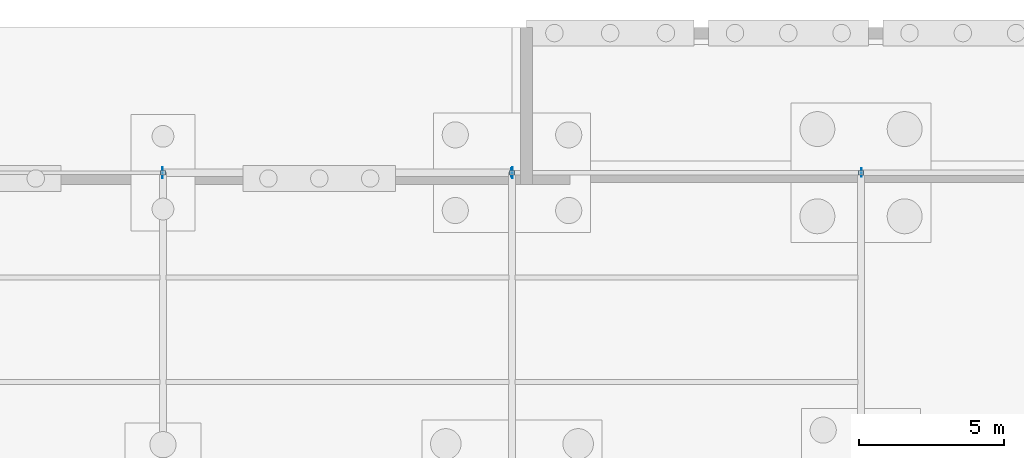
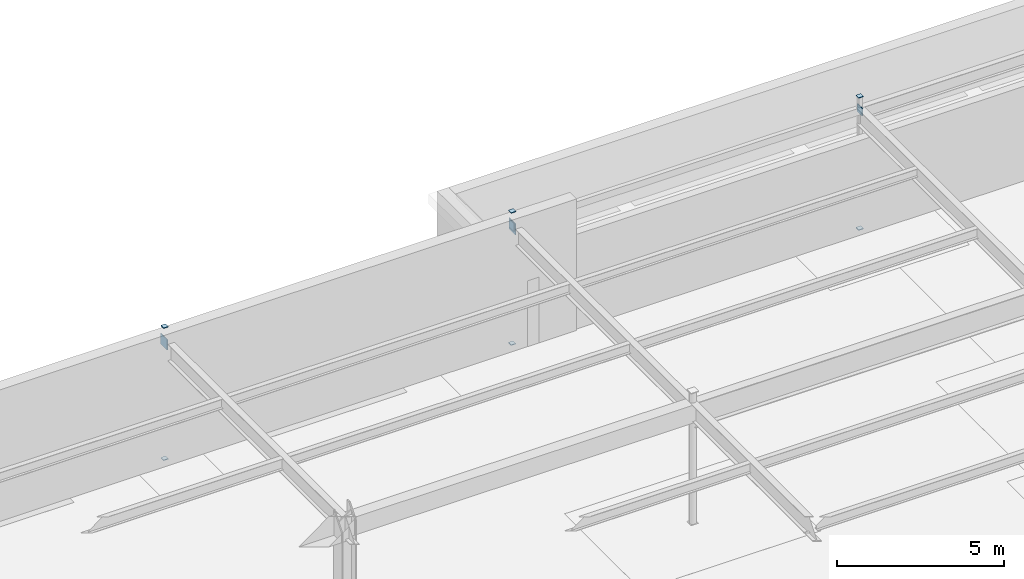
# One storey, part 113 of 136: 10 plates.
"""IFC4 building model written with IfcOpenShell, lengths in metres."""

from ifc_helpers import new_model, si_unit, direction, frame, origin, origin_2d, place, context, subcontext, project, spatial, rectangle, extrude, material, layer, layer_set, type_object, element, save


model = new_model("IFC4")

# Units and contexts
model_context = context("Model", 3, precision=1e-05, world=origin(), true_north=direction((0.0, 1.0)))
body_context = subcontext(model_context, "Body", "Model", "MODEL_VIEW")
ifc_project = project(units=[si_unit("LENGTHUNIT", "METRE"), si_unit("AREAUNIT", "SQUARE_METRE"), si_unit("VOLUMEUNIT", "CUBIC_METRE"), si_unit("PLANEANGLEUNIT", "RADIAN"), si_unit("MASSUNIT", "GRAM", prefix="KILO")], contexts=[model_context])

# Site, building, storey
site_placement = place(None, origin())
site = spatial("IfcSite", under=ifc_project, at=site_placement, CompositionType="ELEMENT")
building_placement = place(site_placement, origin())
building = spatial("IfcBuilding", under=site, at=building_placement, Name="Tarnwether General Hospital", CompositionType="ELEMENT")
storey_placement = place(building_placement, frame((0.0, 0.0, -4.800048828125)))
storey = spatial("IfcBuildingStorey", under=building, at=storey_placement, Name="LG", CompositionType="ELEMENT", Elevation=-4.800048828125)

# Plates
ifc_material = material(Name="Steel Grade 350 (350 MPa)", Category="steel")
ifc_layer = layer(ifc_material, 0.02490234375)
ifc_layer_set = layer_set([ifc_layer], Name="Steel Grade 350 (350 MPa)")
plate_type = type_object("IfcPlateType", Name="PT-GUS2", PredefinedType="USERDEFINED", material=ifc_layer_set)
for number, where, z_axis, x_axis, name in (
    (1, (36.0, 126.0, -0.02490234375), (0.0, 0.0, 1.0), (1.0, 0.0, 0.0), "Hollow Section Welded End Cap Plate 0077"),
    (2, (36.0, 126.0, 4.800048828125), (0.0, 0.0, 1.0), (1.0, 0.0, 0.0), "Hollow Section Welded End Cap Plate 0078"),
    (3, (48.0, 126.0, -0.02490234375), (0.0, 0.0, 1.0), (1.0, 0.0, 0.0), "Hollow Section Welded End Cap Plate 0119"),
    (4, (48.0, 126.0, 4.800048828125), (0.0, 0.0, 1.0), (1.0, 0.0, 0.0), "Hollow Section Welded End Cap Plate 0120"),
    (5, (60.0, 126.0, -0.02490234375), (0.0, 0.0, 1.0), (1.0, 0.0, 0.0), "Hollow Section Welded End Cap Plate 0123"),
    (6, (60.0, 126.0, 4.800048828125), (0.0, 0.0, 1.0), (1.0, 0.0, 0.0), "Hollow Section Welded End Cap Plate 0124"),
):
    element("IfcPlate", number, at=place(storey_placement, frame(where, z_axis=z_axis, x_axis=x_axis)), inside=storey, type_object=plate_type, Name=name, ObjectType="GUSSET", PredefinedType="USERDEFINED", context=body_context, shape_type="SweptSolid", body=[
        extrude(rectangle(XDim=0.1650390625, YDim=0.1650390625, at=origin_2d()), origin(), (0.0, 0.0, 1.0), 0.02490234375),
    ])
for number, where, z_axis, x_axis, name in (
    (7, (35.987548828125, 126.0, 4.06005859375), (0.0, 0.0, 1.0), (1.0, 0.0, 0.0), "Hollow Section Welded End Cap Plate 0821"),
    (8, (48.012451171875, 126.0, 4.06005859375), (0.0, 0.0, 1.0), (1.0, 0.0, 0.0), "Hollow Section Welded End Cap Plate 0822"),
):
    element("IfcPlate", number, at=place(storey_placement, frame(where, z_axis=z_axis, x_axis=x_axis)), inside=storey, type_object=plate_type, Name=name, ObjectType="GUSSET", PredefinedType="USERDEFINED", context=body_context, shape_type="SweptSolid", body=[
        extrude(rectangle(XDim=0.02490234375, YDim=0.389892578125, at=origin_2d()), origin(), (0.0, 0.0, 1.0), 0.389892578125),
    ])
for number, where, z_axis, x_axis, name in (
    (9, (47.987548828125, 126.0, 4.159912109375), (0.0, 0.0, 1.0), (1.0, 0.0, 0.0), "Hollow Section Welded End Cap Plate 0823"),
    (10, (60.012451171875, 126.0, 4.159912109375), (0.0, 0.0, 1.0), (1.0, 0.0, 0.0), "Hollow Section Welded End Cap Plate 0824"),
):
    element("IfcPlate", number, at=place(storey_placement, frame(where, z_axis=z_axis, x_axis=x_axis)), inside=storey, type_object=plate_type, Name=name, ObjectType="GUSSET", PredefinedType="USERDEFINED", context=body_context, shape_type="SweptSolid", body=[
        extrude(rectangle(XDim=0.02490234375, YDim=0.2900390625, at=origin_2d()), origin(), (0.0, 0.0, 1.0), 0.2900390625),
    ])

save(model, "model.ifc")
